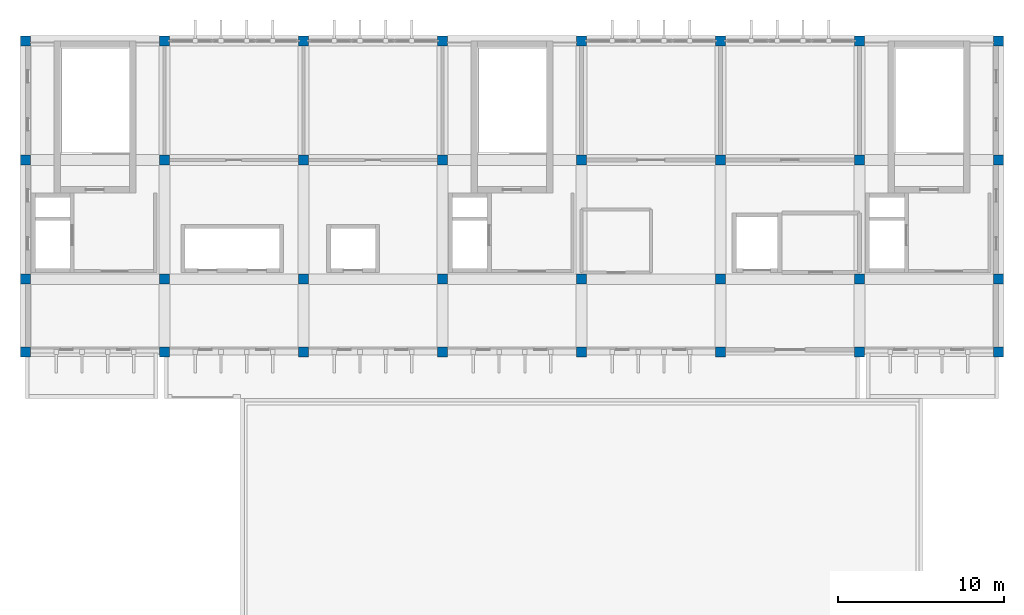
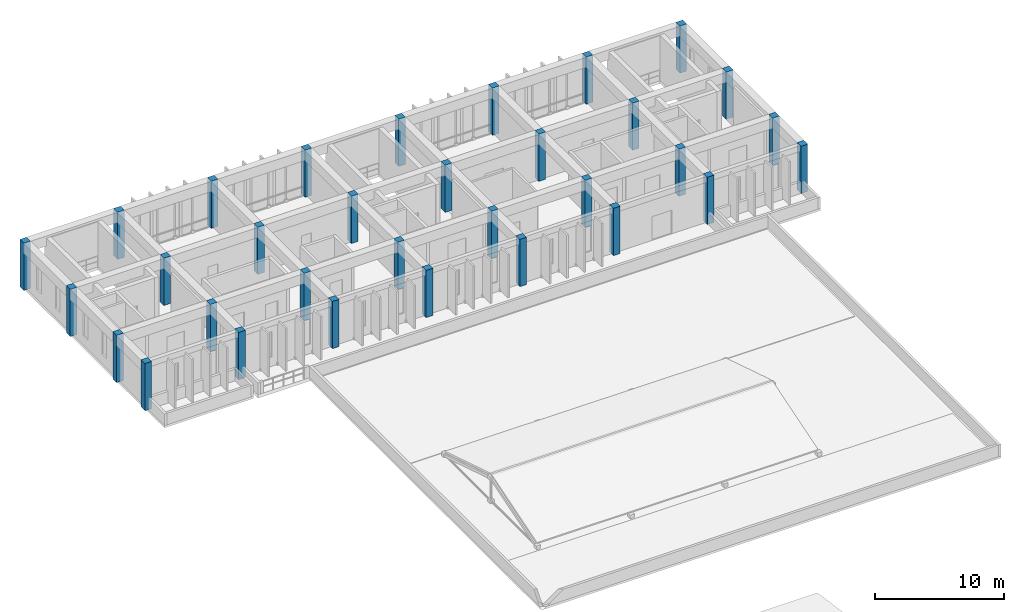
# One storey, part 1 of 16: 32 columns.
"""IFC4 building model written with IfcOpenShell, lengths in metres."""

from ifc_helpers import new_model, si_unit, direction, frame, origin, origin_2d, place, context, subcontext, project, spatial, rectangle, extrude, material, material_profile, profile_set, type_object, element, save


model = new_model("IFC4")

# Units and contexts
model_context = context("Model", 3, precision=1e-05, world=origin(), true_north=direction((0.0, 1.0)))
body_context = subcontext(model_context, "Body", "Model", "MODEL_VIEW")
ifc_project = project(units=[si_unit("LENGTHUNIT", "METRE"), si_unit("AREAUNIT", "SQUARE_METRE"), si_unit("VOLUMEUNIT", "CUBIC_METRE"), si_unit("PLANEANGLEUNIT", "RADIAN"), si_unit("MASSUNIT", "GRAM", prefix="KILO")], contexts=[model_context])

# Site, building, storey
site_placement = place(None, origin())
site = spatial("IfcSite", under=ifc_project, at=site_placement, CompositionType="ELEMENT")
building_placement = place(site_placement, origin())
building = spatial("IfcBuilding", under=site, at=building_placement, Name="Kenerak Square Central Library", CompositionType="ELEMENT")
storey_placement = place(building_placement, frame((0.0, 0.0, 27.840087890625)))
storey = spatial("IfcBuildingStorey", under=building, at=storey_placement, Name="L06", CompositionType="ELEMENT", Elevation=27.840087890625)

# Columns
ifc_material = material(Name="Concrete C40/50", Category="concrete")
ifc_material_profile = material_profile(ifc_material, rectangle(XDim=0.60009765625, YDim=0.60009765625, at=origin_2d()), Name="RC 600x600")
ifc_profile_set = profile_set([ifc_material_profile], Name="Concrete C40/50")
column_type = type_object("IfcColumnType", Name="Column C-08 RC 600x600 C40/50", PredefinedType="COLUMN", material=ifc_profile_set)
for number, where, z_axis, x_axis, name in (
    (1, (58.39990234375, 96.0, 0.0), (0.0, 0.0, 1.0), (1.0, 0.0, 0.0), "Column C-08 L06 7/P"),
    (2, (58.39990234375, 103.199951171875, 0.0), (0.0, 0.0, 1.0), (1.0, 0.0, 0.0), "Column C-08 L06 7/Q"),
    (3, (58.39990234375, 110.39990234375, 0.0), (0.0, 0.0, 1.0), (1.0, 0.0, 0.0), "Column C-08 L06 7/R"),
    (4, (66.800048828125, 96.0, 0.0), (0.0, 0.0, 1.0), (1.0, 0.0, 0.0), "Column C-08 L06 8/P"),
    (5, (66.800048828125, 103.199951171875, 0.0), (0.0, 0.0, 1.0), (1.0, 0.0, 0.0), "Column C-08 L06 8/Q"),
    (6, (66.800048828125, 110.39990234375, 0.0), (0.0, 0.0, 1.0), (1.0, 0.0, 0.0), "Column C-08 L06 8/R"),
    (7, (75.199951171875, 96.0, 0.0), (0.0, 0.0, 1.0), (1.0, 0.0, 0.0), "Column C-08 L06 9/P"),
    (8, (75.199951171875, 103.199951171875, 0.0), (0.0, 0.0, 1.0), (1.0, 0.0, 0.0), "Column C-08 L06 9/Q"),
    (9, (75.199951171875, 110.39990234375, 0.0), (0.0, 0.0, 1.0), (1.0, 0.0, 0.0), "Column C-08 L06 9/R"),
    (10, (83.60009765625, 96.0, 0.0), (0.0, 0.0, 1.0), (1.0, 0.0, 0.0), "Column C-08 L06 10/P"),
    (11, (83.60009765625, 103.199951171875, 0.0), (0.0, 0.0, 1.0), (1.0, 0.0, 0.0), "Column C-08 L06 10/Q"),
    (12, (83.60009765625, 110.39990234375, 0.0), (0.0, 0.0, 1.0), (1.0, 0.0, 0.0), "Column C-08 L06 10/R"),
    (13, (92.0, 96.0, 0.0), (0.0, 0.0, 1.0), (1.0, 0.0, 0.0), "Column C-08 L06 11/P"),
    (14, (92.0, 103.199951171875, 0.0), (0.0, 0.0, 1.0), (1.0, 0.0, 0.0), "Column C-08 L06 11/Q"),
    (15, (92.0, 110.39990234375, 0.0), (0.0, 0.0, 1.0), (1.0, 0.0, 0.0), "Column C-08 L06 11/R"),
    (16, (100.39990234375, 96.0, 0.0), (0.0, 0.0, 1.0), (1.0, 0.0, 0.0), "Column C-08 L06 12/P"),
    (17, (100.39990234375, 103.199951171875, 0.0), (0.0, 0.0, 1.0), (1.0, 0.0, 0.0), "Column C-08 L06 12/Q"),
    (18, (100.39990234375, 110.39990234375, 0.0), (0.0, 0.0, 1.0), (1.0, 0.0, 0.0), "Column C-08 L06 12/R"),
    (19, (108.800048828125, 96.0, 0.0), (0.0, 0.0, 1.0), (1.0, 0.0, 0.0), "Column C-08 L06 13/P"),
    (20, (108.800048828125, 103.199951171875, 0.0), (0.0, 0.0, 1.0), (1.0, 0.0, 0.0), "Column C-08 L06 13/Q"),
    (21, (108.800048828125, 110.39990234375, 0.0), (0.0, 0.0, 1.0), (1.0, 0.0, 0.0), "Column C-08 L06 13/R"),
    (22, (117.199951171875, 96.0, 0.0), (0.0, 0.0, 1.0), (1.0, 0.0, 0.0), "Column C-08 L06 14/P"),
    (23, (117.199951171875, 103.199951171875, 0.0), (0.0, 0.0, 1.0), (1.0, 0.0, 0.0), "Column C-08 L06 14/Q"),
    (24, (117.199951171875, 110.39990234375, 0.0), (0.0, 0.0, 1.0), (1.0, 0.0, 0.0), "Column C-08 L06 14/R"),
    (25, (58.39990234375, 91.60009765625, 0.0), (0.0, 0.0, 1.0), (1.0, 0.0, 0.0), "Setback Column C-08 L06 7/N1"),
    (26, (66.800048828125, 91.60009765625, 0.0), (0.0, 0.0, 1.0), (1.0, 0.0, 0.0), "Setback Column C-08 L06 8/N1"),
    (27, (75.199951171875, 91.60009765625, 0.0), (0.0, 0.0, 1.0), (1.0, 0.0, 0.0), "Setback Column C-08 L06 9/N1"),
    (28, (83.60009765625, 91.60009765625, 0.0), (0.0, 0.0, 1.0), (1.0, 0.0, 0.0), "Setback Column C-08 L06 10/N1"),
    (29, (92.0, 91.60009765625, 0.0), (0.0, 0.0, 1.0), (1.0, 0.0, 0.0), "Setback Column C-08 L06 11/N1"),
    (30, (100.39990234375, 91.60009765625, 0.0), (0.0, 0.0, 1.0), (1.0, 0.0, 0.0), "Setback Column C-08 L06 12/N1"),
    (31, (108.800048828125, 91.60009765625, 0.0), (0.0, 0.0, 1.0), (1.0, 0.0, 0.0), "Setback Column C-08 L06 13/N1"),
    (32, (117.199951171875, 91.60009765625, 0.0), (0.0, 0.0, 1.0), (1.0, 0.0, 0.0), "Setback Column C-08 L06 14/N1"),
):
    element("IfcColumn", number, at=place(storey_placement, frame(where, z_axis=z_axis, x_axis=x_axis)), inside=storey, type_object=column_type, Name=name, PredefinedType="COLUMN", context=body_context, shape_type="SweptSolid", body=[
        extrude(rectangle(XDim=0.60009765625, YDim=0.60009765625, at=origin_2d()), origin(), (0.0, 0.0, 1.0), 4.47998046875),
    ])

save(model, "model.ifc")
